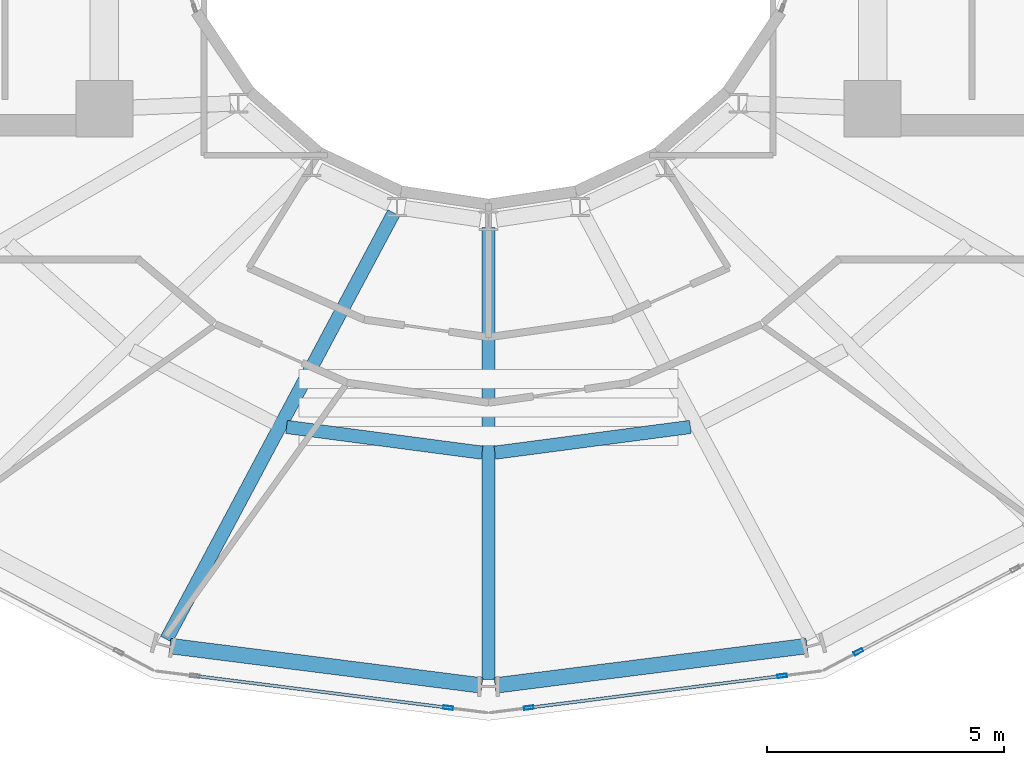
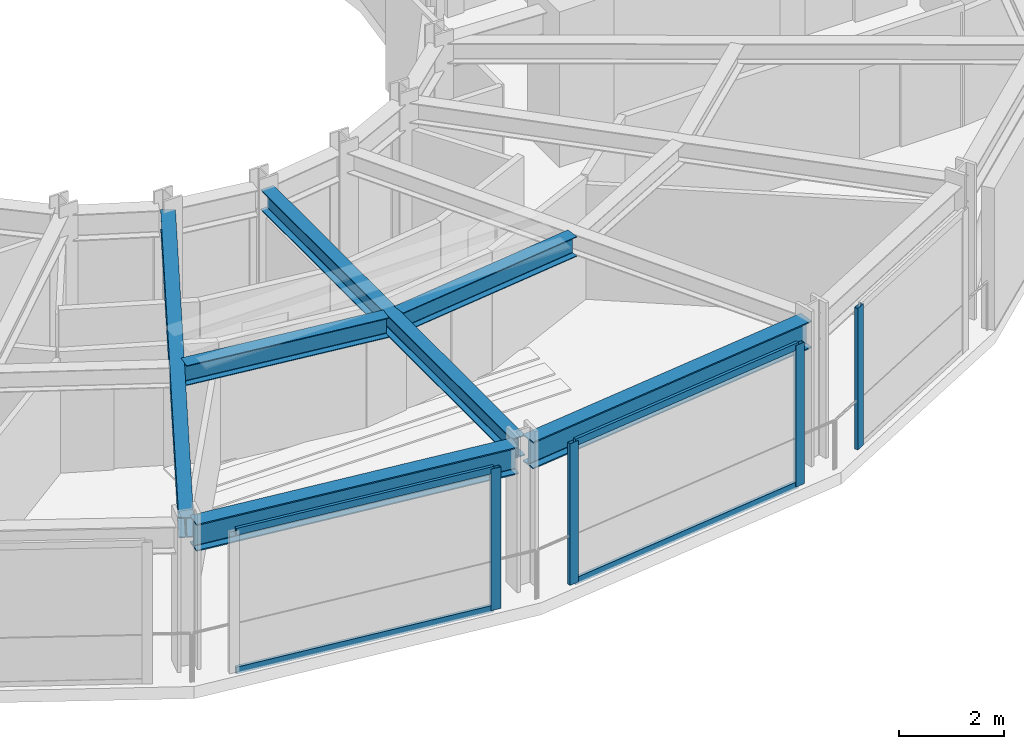
# One storey, part 4 of 24: 8 members, 6 beams, 3 elements without a shape of their own.
"""IFC4 building model written with IfcOpenShell, lengths in metres."""

from ifc_helpers import new_model, si_unit, direction, frame, origin, origin_2d, place, context, subcontext, project, spatial, hollow_rectangle, i_section, extrude, material, layer, layer_set, material_profile, profile_set, type_object, element, aggregate, save


model = new_model("IFC4")

# Units and contexts
model_context = context("Model", 3, precision=1e-05, world=origin(), true_north=direction((0.0, 1.0)))
body_context = subcontext(model_context, "Body", "Model", "MODEL_VIEW")
ifc_project = project(units=[si_unit("LENGTHUNIT", "METRE"), si_unit("AREAUNIT", "SQUARE_METRE"), si_unit("VOLUMEUNIT", "CUBIC_METRE"), si_unit("PLANEANGLEUNIT", "RADIAN"), si_unit("MASSUNIT", "GRAM", prefix="KILO")], contexts=[model_context])

# Site, building, storey
site_placement = place(None, origin())
site = spatial("IfcSite", under=ifc_project, at=site_placement, CompositionType="ELEMENT")
building_placement = place(site_placement, origin())
building = spatial("IfcBuilding", under=site, at=building_placement, Name="Solvane Sanctuary Tower", CompositionType="ELEMENT")
storey_placement = place(building_placement, frame((0.0, 0.0, 253.199951171875)))
storey = spatial("IfcBuildingStorey", under=building, at=storey_placement, Name="L77", CompositionType="ELEMENT", Elevation=253.199951171875)

# Beams
ifc_material_1 = material(Name="Steel ASTM A992 Grade 50", Category="steel")
ifc_material_profile_1 = material_profile(ifc_material_1, i_section(OverallWidth=0.282958984375, OverallDepth=0.471923828125, WebThickness=0.013671875, FlangeThickness=0.022216796875, FilletRadius=0.013916015625, at=origin_2d()), Name="W18X97")
ifc_profile_set_1 = profile_set([ifc_material_profile_1], Name="Steel ASTM A992 Grade 50")
beam_type_1 = type_object("IfcBeamType", Name="Beam B-RAD-Z4 W18X97", PredefinedType="JOIST", material=ifc_profile_set_1)
beam_1_placement = place(storey_placement, frame((30.00341796875, 14.704833984375, 3.08203125), z_axis=(-0.470405435304, -0.882450410185, 0.0), x_axis=(0.882450410185, -0.470405435304, 0.0)))
element("IfcBeam", 1, at=beam_1_placement, inside=storey, type_object=beam_type_1, Name="L77 Radial Composite Floor Beam 10", PredefinedType="JOIST", context=body_context, shape_type="SweptSolid", body=[
    extrude(i_section(OverallWidth=0.282958984375, OverallDepth=0.471923828125, WebThickness=0.013671875, FlangeThickness=0.022216796875, FilletRadius=0.013916015625, at=origin_2d()), origin(), (0.0, 0.0, 1.0), 10.190673828125),
])
beam_2_placement = place(storey_placement, frame((32.0, 14.39990234375, 3.08203125), z_axis=(0.0, -1.0, 0.0), x_axis=(1.0, 0.0, 0.0)))
element("IfcBeam", 2, at=beam_2_placement, inside=storey, type_object=beam_type_1, Name="L77 Radial Composite Floor Beam 11", PredefinedType="JOIST", context=body_context, shape_type="SweptSolid", body=[
    extrude(i_section(OverallWidth=0.282958984375, OverallDepth=0.471923828125, WebThickness=0.013671875, FlangeThickness=0.022216796875, FilletRadius=0.013916015625, at=origin_2d()), origin(), (0.0, 0.0, 1.0), 9.539794921875),
])
ifc_material_profile_2 = material_profile(ifc_material_1, i_section(OverallWidth=0.280029296875, OverallDepth=0.462890625, WebThickness=0.0107421875, FlangeThickness=0.017333984375, FilletRadius=0.013916015625, at=origin_2d()), Name="W18X76")
ifc_profile_set_2 = profile_set([ifc_material_profile_2], Name="Steel ASTM A992 Grade 50")
beam_type_2 = type_object("IfcBeamType", Name="Beam B-SEC-JOIST W18X76", PredefinedType="JOIST", material=ifc_profile_set_2)
for number, where, z_axis, x_axis, name in (
    (3, (27.74169921875, 10.190673828125, 3.086669921875), (0.991439902559, -0.130563852634, 0.0), (0.130563852634, 0.991439902559, 0.0), "L77 Secondary Circumferential Joist 10-11"),
    (4, (32.13525390625, 9.647705078125, 3.086669921875), (0.991439902559, 0.130563852634, 0.0), (-0.130563852634, 0.991439902559, 0.0), "L77 Secondary Circumferential Joist 11-12"),
):
    element("IfcBeam", number, at=place(storey_placement, frame(where, z_axis=z_axis, x_axis=x_axis)), inside=storey, type_object=beam_type_2, Name=name, PredefinedType="JOIST", context=body_context, shape_type="SweptSolid", body=[
        extrude(i_section(OverallWidth=0.280029296875, OverallDepth=0.462890625, WebThickness=0.0107421875, FlangeThickness=0.017333984375, FilletRadius=0.013916015625, at=origin_2d()), origin(), (0.0, 0.0, 1.0), 4.15869140625),
    ])
ifc_material_profile_3 = material_profile(ifc_material_1, i_section(OverallWidth=0.327880859375, OverallDepth=0.6279296875, WebThickness=0.0166015625, FlangeThickness=0.027587890625, FilletRadius=0.01611328125, at=origin_2d()), Name="W24X146")
ifc_profile_set_3 = profile_set([ifc_material_profile_3], Name="Steel ASTM A992 Grade 50")
beam_type_3 = type_object("IfcBeamType", Name="Beam B-SPAND-Z3 W24X146", PredefinedType="SPANDREL", material=ifc_profile_set_3)
for number, where, z_axis, x_axis, name in (
    (5, (25.28271484375, 5.571044921875, 3.004150390625), (0.992068601394, -0.125697613849, 0.0), (0.125697613849, 0.992068601394, 0.0), "L77 Perimeter Spandrel Beam TC10-TC11"),
    (6, (32.138916015625, 4.737548828125, 3.004150390625), (0.992068601394, 0.125697613849, 0.0), (-0.125697613849, 0.992068601394, 0.0), "L77 Perimeter Spandrel Beam TC11-TC12"),
):
    element("IfcBeam", number, at=place(storey_placement, frame(where, z_axis=z_axis, x_axis=x_axis)), inside=storey, type_object=beam_type_3, Name=name, PredefinedType="SPANDREL", context=body_context, shape_type="SweptSolid", body=[
        extrude(i_section(OverallWidth=0.327880859375, OverallDepth=0.6279296875, WebThickness=0.0166015625, FlangeThickness=0.027587890625, FilletRadius=0.01611328125, at=origin_2d()), origin(), (0.0, 0.0, 1.0), 6.630859375),
    ])

# Curtain wall, member
ifc_material_2 = material(Name="Anodised Aluminium 6063-T6", Category="aluminium")
ifc_layer = layer(ifc_material_2, 0.18994140625, Name="Anodised Aluminium 6063-T6")
ifc_layer_set = layer_set([ifc_layer], Name="Anodised Aluminium 6063-T6")
curtain_wall_type = type_object("IfcCurtainWallType", Name="Curtain Wall CW-OPER", PredefinedType="NOTDEFINED", material=ifc_layer_set)
curtain_wall_1_placement = place(storey_placement, origin())
curtain_wall_1 = element("IfcCurtainWall", 7, at=curtain_wall_1_placement, inside=storey, type_object=curtain_wall_type, Name="L77 CW-OPER Facade Run 17", PredefinedType="NOTDEFINED")
ifc_material_profile_4 = material_profile(ifc_material_2, hollow_rectangle(XDim=0.074951171875, YDim=0.199951171875, WallThickness=0.00390625, at=origin_2d()), Name="ALU200X75X4")
ifc_profile_set_4 = profile_set([ifc_material_profile_4], Name="Anodised Aluminium 6063-T6")
member_type_1 = type_object("IfcMemberType", Name="Member M-CW-MUL-1 ALU200X75X4", PredefinedType="MULLION", material=ifc_profile_set_4)
member_1_placement = place(storey_placement, frame((31.149169921875, 4.269287109375, 0.0), z_axis=(0.0, 0.0, 1.0), x_axis=(0.124814850727, 0.992180050716, 0.0)))
member_1 = element("IfcMember", 8, at=member_1_placement, type_object=member_type_1, Name="CW-OPER mullion 2", PredefinedType="MULLION", context=body_context, shape_type="SweptSolid", body=[
    extrude(hollow_rectangle(XDim=0.074951171875, YDim=0.199951171875, WallThickness=0.00390625, at=origin_2d()), origin(), (0.0, 0.0, 1.0), 3.280029296875),
])

# Curtain wall, members
curtain_wall_2_placement = place(storey_placement, origin())
curtain_wall_2 = element("IfcCurtainWall", 9, at=curtain_wall_2_placement, inside=storey, type_object=curtain_wall_type, Name="L77 CW-OPER Facade Run 18", PredefinedType="NOTDEFINED")
member_2_placement = place(storey_placement, frame((32.850830078125, 4.269287109375, 0.0), z_axis=(0.0, 0.0, 1.0), x_axis=(-0.124814850727, 0.992180050716, 0.0)))
member_2 = element("IfcMember", 10, at=member_2_placement, type_object=member_type_1, Name="CW-OPER mullion 1", PredefinedType="MULLION", context=body_context, shape_type="SweptSolid", body=[
    extrude(hollow_rectangle(XDim=0.074951171875, YDim=0.199951171875, WallThickness=0.00390625, at=origin_2d()), origin(), (0.0, 0.0, 1.0), 3.280029296875),
])
member_3_placement = place(storey_placement, frame((38.192138671875, 4.941162109375, 0.0), z_axis=(0.0, 0.0, 1.0), x_axis=(-0.124814850727, 0.992180050716, 0.0)))
member_3 = element("IfcMember", 11, at=member_3_placement, type_object=member_type_1, Name="CW-OPER mullion 2", PredefinedType="MULLION", context=body_context, shape_type="SweptSolid", body=[
    extrude(hollow_rectangle(XDim=0.074951171875, YDim=0.199951171875, WallThickness=0.00390625, at=origin_2d()), origin(), (0.0, 0.0, 1.0), 3.280029296875),
])

# Curtain wall, member
curtain_wall_3_placement = place(storey_placement, origin())
curtain_wall_3 = element("IfcCurtainWall", 12, at=curtain_wall_3_placement, inside=storey, type_object=curtain_wall_type, Name="L77 CW-OPER Facade Run 19", PredefinedType="NOTDEFINED")
member_4_placement = place(storey_placement, frame((39.801025390625, 5.448974609375, 0.0), z_axis=(0.0, 0.0, 1.0), x_axis=(-0.467523293544, 0.883980752049, 0.0)))
member_4 = element("IfcMember", 13, at=member_4_placement, type_object=member_type_1, Name="CW-OPER mullion 1", PredefinedType="MULLION", context=body_context, shape_type="SweptSolid", body=[
    extrude(hollow_rectangle(XDim=0.074951171875, YDim=0.199951171875, WallThickness=0.00390625, at=origin_2d()), origin(), (0.0, 0.0, 1.0), 3.280029296875),
])
aggregate(curtain_wall_3, [member_4])

# Member
ifc_material_profile_5 = material_profile(ifc_material_2, hollow_rectangle(XDim=0.06494140625, YDim=0.159912109375, WallThickness=0.00341796875, at=origin_2d()), Name="ALU160X65X3.5")
ifc_profile_set_5 = profile_set([ifc_material_profile_5], Name="Anodised Aluminium 6063-T6")
member_type_2 = type_object("IfcMemberType", Name="Member M-CW-TRN-1 ALU160X65X3.5", PredefinedType="USERDEFINED", material=ifc_profile_set_5)
member_5_placement = place(storey_placement, frame((25.844970703125, 4.9365234375, 0.032470703125), z_axis=(0.992179929781, -0.124815812062, 0.0), x_axis=(0.124815812062, 0.992179929781, 0.0)))
member_5 = element("IfcMember", 14, at=member_5_placement, type_object=member_type_2, Name="CW-OPER transom 1.1", ObjectType="TRANSOM", PredefinedType="USERDEFINED", context=body_context, shape_type="SweptSolid", body=[
    extrude(hollow_rectangle(XDim=0.06494140625, YDim=0.159912109375, WallThickness=0.00341796875, at=origin_2d()), origin(), (0.0, 0.0, 1.0), 5.30859375),
])

member_6_placement = place(storey_placement, frame((25.844970703125, 4.9365234375, 3.24755859375), z_axis=(0.992179929781, -0.124815812062, 0.0), x_axis=(0.124815812062, 0.992179929781, 0.0)))
member_6 = element("IfcMember", 15, at=member_6_placement, type_object=member_type_2, Name="CW-OPER transom 1.2", ObjectType="TRANSOM", PredefinedType="USERDEFINED", context=body_context, shape_type="SweptSolid", body=[
    extrude(hollow_rectangle(XDim=0.06494140625, YDim=0.159912109375, WallThickness=0.00341796875, at=origin_2d()), origin(), (0.0, 0.0, 1.0), 5.30859375),
])

aggregate(curtain_wall_1, [member_1, member_5, member_6])

member_7_placement = place(storey_placement, frame((32.887939453125, 4.27392578125, 0.032470703125), z_axis=(0.992179929781, 0.124815812062, 0.0), x_axis=(-0.124815812062, 0.992179929781, 0.0)))
member_7 = element("IfcMember", 16, at=member_7_placement, type_object=member_type_2, Name="CW-OPER transom 1.1", ObjectType="TRANSOM", PredefinedType="USERDEFINED", context=body_context, shape_type="SweptSolid", body=[
    extrude(hollow_rectangle(XDim=0.06494140625, YDim=0.159912109375, WallThickness=0.00341796875, at=origin_2d()), origin(), (0.0, 0.0, 1.0), 5.30859375),
])

member_8_placement = place(storey_placement, frame((32.887939453125, 4.27392578125, 3.24755859375), z_axis=(0.992179929781, 0.124815812062, 0.0), x_axis=(-0.124815812062, 0.992179929781, 0.0)))
member_8 = element("IfcMember", 17, at=member_8_placement, type_object=member_type_2, Name="CW-OPER transom 1.2", ObjectType="TRANSOM", PredefinedType="USERDEFINED", context=body_context, shape_type="SweptSolid", body=[
    extrude(hollow_rectangle(XDim=0.06494140625, YDim=0.159912109375, WallThickness=0.00341796875, at=origin_2d()), origin(), (0.0, 0.0, 1.0), 5.30859375),
])

aggregate(curtain_wall_2, [member_2, member_3, member_7, member_8])

save(model, "model.ifc")
